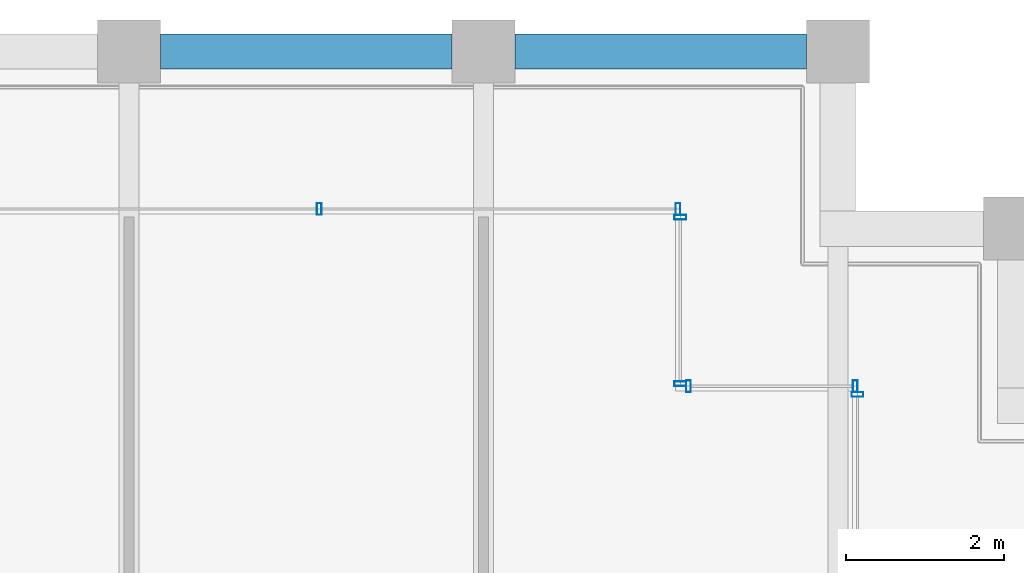
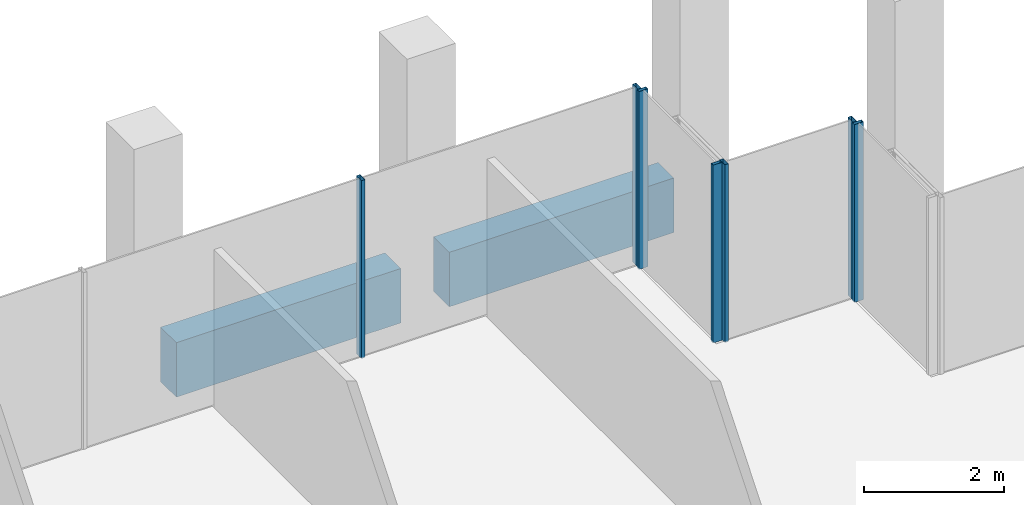
# One storey, part 26 of 40: 7 members, 2 beams, 4 elements without a shape of their own.
"""IFC4 building model written with IfcOpenShell, lengths in metres."""

from ifc_helpers import new_model, si_unit, direction, frame, origin, origin_2d, place, context, subcontext, project, spatial, rectangle, hollow_rectangle, extrude, material, material_profile, profile_set, type_object, element, aggregate, save


model = new_model("IFC4")

# Units and contexts
model_context = context("Model", 3, precision=1e-05, world=origin(), true_north=direction((0.0, 1.0)))
body_context = subcontext(model_context, "Body", "Model", "MODEL_VIEW")
ifc_project = project(units=[si_unit("LENGTHUNIT", "METRE"), si_unit("AREAUNIT", "SQUARE_METRE"), si_unit("VOLUMEUNIT", "CUBIC_METRE"), si_unit("PLANEANGLEUNIT", "RADIAN"), si_unit("MASSUNIT", "GRAM", prefix="KILO")], contexts=[model_context])

# Site, building, storey
site_placement = place(None, origin())
site = spatial("IfcSite", under=ifc_project, at=site_placement, CompositionType="ELEMENT")
building_placement = place(site_placement, origin())
building = spatial("IfcBuilding", under=site, at=building_placement, Name="Altepetl Exchange Towers", CompositionType="ELEMENT")
storey_placement = place(building_placement, frame((0.0, 0.0, 202.800048828125)))
storey = spatial("IfcBuildingStorey", under=building, at=storey_placement, Name="L51", CompositionType="ELEMENT", Elevation=202.800048828125)

# Curtain wall, member
ifc_material_1 = material(Name="Aluminium 6063-T6 glazing", Category="aluminium")
curtain_wall_type = type_object("IfcCurtainWallType", Name="Loggia glazing system", PredefinedType="NOTDEFINED", material=ifc_material_1)
curtain_wall_1_placement = place(storey_placement, origin())
curtain_wall_1 = element("IfcCurtainWall", 1, at=curtain_wall_1_placement, inside=storey, type_object=curtain_wall_type, Name="CW1 run", PredefinedType="NOTDEFINED")
ifc_material_2 = material(Name="Aluminium 6063-T6", Category="aluminium")
ifc_material_profile_1 = material_profile(ifc_material_2, hollow_rectangle(XDim=0.06005859375, YDim=0.14990234375, WallThickness=0.0029296875, at=origin_2d()), Name="Mullion 60x150 aluminium")
ifc_profile_set_1 = profile_set([ifc_material_profile_1], Name="Aluminium 6063-T6")
member_type = type_object("IfcMemberType", Name="Mullion 60x150 aluminium", PredefinedType="MULLION", material=ifc_profile_set_1)
member_1_placement = place(storey_placement, frame((67.75, 67.64501953125, 0.0), z_axis=(0.0, 0.0, 1.0), x_axis=(0.0, 1.0, 0.0)))
member_1 = element("IfcMember", 2, at=member_1_placement, type_object=member_type, Name="MU1 mullion", PredefinedType="MULLION", context=body_context, shape_type="SweptSolid", body=[
    extrude(hollow_rectangle(XDim=0.06005859375, YDim=0.14990234375, WallThickness=0.0029296875, at=origin_2d()), origin(), (0.0, 0.0, 1.0), 3.099853515625),
])
aggregate(curtain_wall_1, [member_1])

# Curtain wall, members
curtain_wall_2_placement = place(storey_placement, origin())
curtain_wall_2 = element("IfcCurtainWall", 3, at=curtain_wall_2_placement, inside=storey, type_object=curtain_wall_type, Name="CW1 run", PredefinedType="NOTDEFINED")
member_2_placement = place(storey_placement, frame((67.719970703125, 67.75, 0.0), z_axis=(0.0, 0.0, 1.0), x_axis=(-1.0, 0.0, 0.0)))
member_2 = element("IfcMember", 4, at=member_2_placement, type_object=member_type, Name="MU1 mullion", PredefinedType="MULLION", context=body_context, shape_type="SweptSolid", body=[
    extrude(hollow_rectangle(XDim=0.06005859375, YDim=0.14990234375, WallThickness=0.0029296875, at=origin_2d()), origin(), (0.0, 0.0, 1.0), 3.099853515625),
])
member_3_placement = place(storey_placement, frame((65.60498046875, 67.75, 0.0), z_axis=(0.0, 0.0, 1.0), x_axis=(-1.0, 0.0, 0.0)))
member_3 = element("IfcMember", 5, at=member_3_placement, type_object=member_type, Name="MU1 mullion", PredefinedType="MULLION", context=body_context, shape_type="SweptSolid", body=[
    extrude(hollow_rectangle(XDim=0.06005859375, YDim=0.14990234375, WallThickness=0.0029296875, at=origin_2d()), origin(), (0.0, 0.0, 1.0), 3.099853515625),
])
aggregate(curtain_wall_2, [member_2, member_3])

curtain_wall_3_placement = place(storey_placement, origin())
curtain_wall_3 = element("IfcCurtainWall", 6, at=curtain_wall_3_placement, inside=storey, type_object=curtain_wall_type, Name="CW1 run", PredefinedType="NOTDEFINED")
member_4_placement = place(storey_placement, frame((65.5, 67.780029296875, 0.0), z_axis=(0.0, 0.0, 1.0), x_axis=(0.0, 1.0, 0.0)))
member_4 = element("IfcMember", 7, at=member_4_placement, type_object=member_type, Name="MU1 mullion", PredefinedType="MULLION", context=body_context, shape_type="SweptSolid", body=[
    extrude(hollow_rectangle(XDim=0.06005859375, YDim=0.14990234375, WallThickness=0.0029296875, at=origin_2d()), origin(), (0.0, 0.0, 1.0), 3.099853515625),
])
member_5_placement = place(storey_placement, frame((65.5, 69.89501953125, 0.0), z_axis=(0.0, 0.0, 1.0), x_axis=(0.0, 1.0, 0.0)))
member_5 = element("IfcMember", 8, at=member_5_placement, type_object=member_type, Name="MU1 mullion", PredefinedType="MULLION", context=body_context, shape_type="SweptSolid", body=[
    extrude(hollow_rectangle(XDim=0.06005859375, YDim=0.14990234375, WallThickness=0.0029296875, at=origin_2d()), origin(), (0.0, 0.0, 1.0), 3.099853515625),
])
aggregate(curtain_wall_3, [member_4, member_5])

curtain_wall_4_placement = place(storey_placement, origin())
curtain_wall_4 = element("IfcCurtainWall", 9, at=curtain_wall_4_placement, inside=storey, type_object=curtain_wall_type, Name="CW1 run", PredefinedType="NOTDEFINED")
member_6_placement = place(storey_placement, frame((65.469970703125, 70.0, 0.0), z_axis=(0.0, 0.0, 1.0), x_axis=(-1.0, 0.0, 0.0)))
member_6 = element("IfcMember", 10, at=member_6_placement, type_object=member_type, Name="MU1 mullion", PredefinedType="MULLION", context=body_context, shape_type="SweptSolid", body=[
    extrude(hollow_rectangle(XDim=0.06005859375, YDim=0.14990234375, WallThickness=0.0029296875, at=origin_2d()), origin(), (0.0, 0.0, 1.0), 3.099853515625),
])
member_7_placement = place(storey_placement, frame((60.9150390625, 70.0, 0.0), z_axis=(0.0, 0.0, 1.0), x_axis=(-1.0, 0.0, 0.0)))
member_7 = element("IfcMember", 11, at=member_7_placement, type_object=member_type, Name="MU1 mullion", PredefinedType="MULLION", context=body_context, shape_type="SweptSolid", body=[
    extrude(hollow_rectangle(XDim=0.06005859375, YDim=0.14990234375, WallThickness=0.0029296875, at=origin_2d()), origin(), (0.0, 0.0, 1.0), 3.099853515625),
])
aggregate(curtain_wall_4, [member_6, member_7])

# Beams
ifc_material_3 = material(Name="Concrete C50/60 precast with cantera rosa facing", Category="concrete")
ifc_material_profile_2 = material_profile(ifc_material_3, rectangle(XDim=0.449951171875, YDim=0.949951171875, at=origin_2d()), Name="450 x 950")
ifc_profile_set_2 = profile_set([ifc_material_profile_2], Name="Concrete C50/60 precast with cantera rosa facing")
beam_type = type_object("IfcBeamType", Name="Spandrel beam 450x950 cantera rosa", PredefinedType="SPANDREL", material=ifc_profile_set_2)
for number, where, z_axis, x_axis, name in (
    (12, (67.10009765625, 72.0, -0.625), (-1.0, 0.0, 0.0), (0.0, -1.0, 0.0), "sp:A:L51:024"),
    (13, (62.60009765625, 72.0, -0.625), (-1.0, 0.0, 0.0), (0.0, -1.0, 0.0), "sp:A:L51:025"),
):
    element("IfcBeam", number, at=place(storey_placement, frame(where, z_axis=z_axis, x_axis=x_axis)), inside=storey, type_object=beam_type, Name=name, PredefinedType="SPANDREL", context=body_context, shape_type="SweptSolid", body=[
        extrude(rectangle(XDim=0.449951171875, YDim=0.949951171875, at=origin_2d()), origin(), (0.0, 0.0, 1.0), 3.7001953125),
    ])

save(model, "model.ifc")
